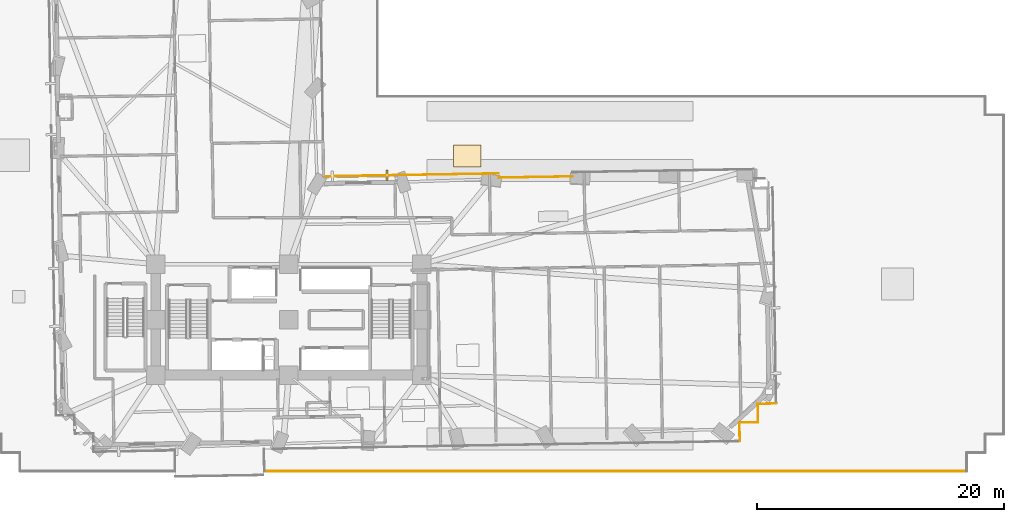
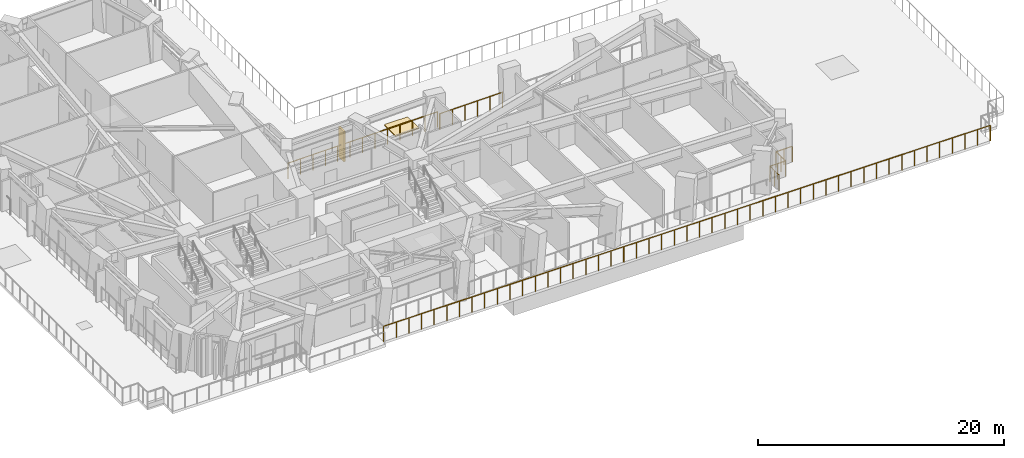
# One storey, part 14 of 17: 7 railings, 1 covering, 1 shading device.
"""IFC4 building model written with IfcOpenShell, lengths in metres."""

import ifcopenshell
import ifcopenshell.guid

model = None  # the IFC model being written
_history = None  # IfcOwnerHistory: only IFC2X3 demands one
_inside = {}  # id of a spatial element -> (the spatial element, [elements in it])
_under = {}  # id of a project, library or spatial element -> (it, [spatial elements below it])
_declared = {}  # id of a project -> (the project, [libraries it declares])
_typed = {}  # id of a type object -> (the type object, [elements of that type])
_made_of = {}  # id of a material, layer set ... -> (it, [elements and type objects made of it])


def new_model(schema):
    """Start an empty IFC model of exactly this schema.

    Asked for "IFC4X3", IfcOpenShell would pick the latest addendum, in which some entities
    have other attributes; the version numbers below select the first issue.
    IFC2X3 requires an IfcOwnerHistory on every rooted entity: one is made here for all.
    """
    global model, _history
    if schema == "IFC4X3":
        model = ifcopenshell.file(schema_version=(4, 3, 0, 0))
    else:
        model = ifcopenshell.file(schema=schema)
    _inside.clear()
    _under.clear()
    _declared.clear()
    _typed.clear()
    _made_of.clear()
    _history = None
    if model.schema == "IFC2X3":
        org = make("IfcOrganization", Name="unknown")
        user = make(
            "IfcPersonAndOrganization",
            ThePerson=make("IfcPerson", FamilyName="unknown"),
            TheOrganization=org,
        )
        app = make(
            "IfcApplication",
            ApplicationDeveloper=org,
            Version="unknown",
            ApplicationFullName="unknown",
            ApplicationIdentifier="unknown",
        )
        _history = make(
            "IfcOwnerHistory",
            OwningUser=user,
            OwningApplication=app,
            ChangeAction="ADDED",
            CreationDate=0,
        )
    return model


def make(cls, **values):
    """One entity of the class cls with the attributes given. An attribute that is None is left unset."""
    return model.create_entity(
        cls, **{name: value for name, value in values.items() if value is not None}
    )


def rooted(cls, **values):
    """An entity with a GlobalId (a new one), such as an element, a storey or a relation."""
    return make(cls, GlobalId=ifcopenshell.guid.new(), OwnerHistory=_history, **values)


def si_unit(unit_type, name, prefix=None):
    """IfcSIUnit, for example si_unit("LENGTHUNIT", "METRE", prefix="MILLI")."""
    return make("IfcSIUnit", UnitType=unit_type, Prefix=prefix, Name=name)


def assignment(units):
    """IfcUnitAssignment: the units of a project."""
    return None if units is None else make("IfcUnitAssignment", Units=units)


def point(xyz):
    """IfcCartesianPoint."""
    return None if xyz is None else make("IfcCartesianPoint", Coordinates=xyz)


def direction(xyz):
    """IfcDirection."""
    return None if xyz is None else make("IfcDirection", DirectionRatios=xyz)


def frame(location, z_axis=None, x_axis=None):
    """IfcAxis2Placement3D, a coordinate frame: its origin and axes. An axis left out is left unset."""
    return make(
        "IfcAxis2Placement3D",
        Location=point(location),
        Axis=direction(z_axis),
        RefDirection=direction(x_axis),
    )


def frame_2d(location, x_axis=None):
    """IfcAxis2Placement2D, a coordinate frame in the plane: its origin and x axis."""
    return make(
        "IfcAxis2Placement2D", Location=point(location), RefDirection=direction(x_axis)
    )


def origin():
    """The frame at (0, 0, 0) with its axes left unset."""
    return frame((0.0, 0.0, 0.0))


def origin_2d():
    """The frame at (0, 0) in the plane with its x axis left unset."""
    return frame_2d((0.0, 0.0))


def place(relative_to, where):
    """IfcLocalPlacement: puts the frame where relative to a parent placement (None: the world)."""
    return make(
        "IfcLocalPlacement", PlacementRelTo=relative_to, RelativePlacement=where
    )


def context(
    kind, dimensions, precision=None, world=None, true_north=None, identifier=None
):
    """IfcGeometricRepresentationContext, for example the 3D "Model" context."""
    return make(
        "IfcGeometricRepresentationContext",
        ContextIdentifier=identifier,
        ContextType=kind,
        CoordinateSpaceDimension=dimensions,
        Precision=precision,
        WorldCoordinateSystem=world,
        TrueNorth=true_north,
    )


def subcontext(parent, identifier, kind, view, scale=None):
    """IfcGeometricRepresentationSubContext, for example "Body" below "Model"."""
    return make(
        "IfcGeometricRepresentationSubContext",
        ContextIdentifier=identifier,
        ContextType=kind,
        ParentContext=parent,
        TargetScale=scale,
        TargetView=view,
    )


def project(units=None, contexts=None):
    """IfcProject with its units and contexts."""
    return rooted(
        "IfcProject",
        Name="project",
        RepresentationContexts=contexts,
        UnitsInContext=assignment(units),
    )


def spatial(cls, under=None, at=None, **own):
    """A site, building, storey or space (cls), placed at a placement, below another one or the project."""
    s = rooted(cls, ObjectPlacement=at, **own)
    if under is not None:
        _under.setdefault(under.id(), (under, []))[1].append(s)
    return s


def profile(cls, at=None, kind="AREA", **sizes):
    """A parametric profile (cls). Its sizes go by their IFC names, for example OverallWidth=200.0."""
    return make(cls, ProfileType=kind, Position=at, **sizes)


def rectangle(**sizes):
    """IfcRectangleProfileDef."""
    return profile("IfcRectangleProfileDef", **sizes)


def circle(**sizes):
    """IfcCircleProfileDef."""
    return profile("IfcCircleProfileDef", **sizes)


def extrude(swept, where, along, depth):
    """IfcExtrudedAreaSolid: the profile swept, set in the frame where, extruded along a direction by depth."""
    return make(
        "IfcExtrudedAreaSolid",
        SweptArea=swept,
        Position=where,
        ExtrudedDirection=direction(along),
        Depth=depth,
    )


def shape(context_of_items, identifier, shape_type, items):
    """IfcShapeRepresentation: the items that make up one representation, for example the "Body"."""
    return make(
        "IfcShapeRepresentation",
        ContextOfItems=context_of_items,
        RepresentationIdentifier=identifier,
        RepresentationType=shape_type,
        Items=items,
    )


def material(Name=None, Category=None):
    """IfcMaterial."""
    return make("IfcMaterial", Name=Name, Category=Category)


def layer(
    of_material, thickness, ventilated=None, Name=None, Category=None, Priority=None
):
    """IfcMaterialLayer: one layer of a wall or slab, of a material (None: an air gap)."""
    return make(
        "IfcMaterialLayer",
        Material=of_material,
        LayerThickness=thickness,
        IsVentilated=ventilated,
        Name=Name,
        Category=Category,
        Priority=Priority,
    )


def layer_set(layers, Name=None):
    """IfcMaterialLayerSet."""
    return make("IfcMaterialLayerSet", MaterialLayers=layers, LayerSetName=Name)


def made_of(thing, what):
    """Note that an element or type object is made of a material, layer set ...; save() writes the relation."""
    if what is not None:
        _made_of.setdefault(what.id(), (what, []))[1].append(thing)
    return thing


def type_object(cls, material=None, **own):
    """A type object (cls), such as IfcWallType, which elements share."""
    return made_of(rooted(cls, **own), material)


def element(
    cls,
    number,
    at=None,
    inside=None,
    cuts=None,
    type_object=None,
    material=None,
    context=None,
    identifier="Body",
    shape_type=None,
    held_by="IfcProductDefinitionShape",
    body=None,
    shapes=None,
    **own,
):
    """One element of the class cls, such as IfcWall. Its Tag is "e" and its number.

    at: its placement. inside: the storey or other place that contains it. cuts: it is an
    opening in that element (IfcRelVoidsElement). A single representation is given by context,
    identifier, shape_type and body (its items); several are given by shapes. held_by: the class
    of the entity that holds the representations. save() writes the other relations.
    """
    e = rooted(cls, Tag="e%d" % number, ObjectPlacement=at, **own)
    if body is not None:
        shapes = [shape(context, identifier, shape_type, body)]
    if shapes is not None:
        e.Representation = make(held_by, Representations=shapes)
    if inside is not None:
        _inside.setdefault(inside.id(), (inside, []))[1].append(e)
    if cuts is not None:
        rooted(
            "IfcRelVoidsElement", RelatingBuildingElement=cuts, RelatedOpeningElement=e
        )
    if type_object is not None:
        _typed.setdefault(type_object.id(), (type_object, []))[1].append(e)
    return made_of(e, material)


def aggregate(whole, parts):
    """IfcRelAggregates: a whole, such as a stair, and the parts it consists of."""
    return rooted("IfcRelAggregates", RelatingObject=whole, RelatedObjects=parts)


def save(model, path):
    """Write the relations noted so far, then the file.

    IfcRelAggregates (storeys below a building ...), IfcRelContainedInSpatialStructure (elements
    in a storey), IfcRelDefinesByType, IfcRelAssociatesMaterial and IfcRelDeclares: one each for
    every whole, place, type object, material and project.
    """
    for whole, parts in _under.values():
        aggregate(whole, parts)
    for where, things in _inside.values():
        rooted(
            "IfcRelContainedInSpatialStructure",
            RelatedElements=things,
            RelatingStructure=where,
        )
    for kind, things in _typed.values():
        rooted("IfcRelDefinesByType", RelatedObjects=things, RelatingType=kind)
    for what, things in _made_of.values():
        rooted("IfcRelAssociatesMaterial", RelatedObjects=things, RelatingMaterial=what)
    for by, libraries in _declared.values():
        rooted("IfcRelDeclares", RelatingContext=by, RelatedDefinitions=libraries)
    model.write(path)


model = new_model("IFC4")

# Units and contexts
model_context = context("Model", 3, precision=1e-05, world=origin(), true_north=direction((0.0, 1.0)))
body_context = subcontext(model_context, "Body", "Model", "MODEL_VIEW")
ifc_project = project(units=[si_unit("LENGTHUNIT", "METRE"), si_unit("AREAUNIT", "SQUARE_METRE"), si_unit("VOLUMEUNIT", "CUBIC_METRE"), si_unit("PLANEANGLEUNIT", "RADIAN"), si_unit("MASSUNIT", "GRAM", prefix="KILO")], contexts=[model_context])

# Site, building, storey
site_placement = place(None, origin())
site = spatial("IfcSite", under=ifc_project, at=site_placement, CompositionType="ELEMENT")
building_placement = place(site_placement, origin())
building = spatial("IfcBuilding", under=site, at=building_placement, Name="Gaonmaruhae Medical Tower", CompositionType="ELEMENT")
storey_placement = place(building_placement, frame((0.0, 0.0, 27.0)))
storey = spatial("IfcBuildingStorey", under=building, at=storey_placement, Name="L05", CompositionType="ELEMENT", Elevation=27.0)

# Railings
ifc_material_1 = material(Name="Stainless steel 316L and laminated safety glass", Category="steel")
ifc_layer_1 = layer(ifc_material_1, 0.080078125)
ifc_layer_set_1 = layer_set([ifc_layer_1], Name="Stainless steel 316L and laminated safety glass")
railing_type = type_object("IfcRailingType", Name="GD-155 Planter-Edge Raised Safety Balustrade", PredefinedType="BALUSTRADE", material=ifc_layer_set_1)
railing_1_placement = place(storey_placement, frame((79.800048828125, 0.0, 0.0)))
element("IfcRailing", 1, at=railing_1_placement, inside=storey, type_object=railing_type, Name="L05 Terrace Safety Guard RL-SLB-L05-PODROOF1-21", PredefinedType="BALUSTRADE", context=body_context, shape_type="SweptSolid", body=[
    extrude(circle(Radius=0.02392578125, at=origin_2d()), frame((0.0, 0.0, 1.52587890625), z_axis=(-1.0, 0.0, 0.0), x_axis=(0.0, -1.0, 0.0)), (0.0, 0.0, 1.0), 56.984375),
    extrude(circle(Radius=0.02099609375, at=origin_2d()), origin(), (0.0, 0.0, 1.0), 1.501953125),
    extrude(circle(Radius=0.02099609375, at=origin_2d()), frame((-1.187255859375, 0.0, 0.0)), (0.0, 0.0, 1.0), 1.501953125),
    extrude(circle(Radius=0.02099609375, at=origin_2d()), frame((-2.374267578125, 0.0, 0.0)), (0.0, 0.0, 1.0), 1.501953125),
    extrude(circle(Radius=0.02099609375, at=origin_2d()), frame((-3.5615234375, 0.0, 0.0)), (0.0, 0.0, 1.0), 1.501953125),
    extrude(circle(Radius=0.02099609375, at=origin_2d()), frame((-4.748779296875, 0.0, 0.0)), (0.0, 0.0, 1.0), 1.501953125),
    extrude(circle(Radius=0.02099609375, at=origin_2d()), frame((-5.935791015625, 0.0, 0.0)), (0.0, 0.0, 1.0), 1.501953125),
    extrude(circle(Radius=0.02099609375, at=origin_2d()), frame((-7.123046875, 0.0, 0.0)), (0.0, 0.0, 1.0), 1.501953125),
    extrude(circle(Radius=0.02099609375, at=origin_2d()), frame((-8.310302734375, 0.0, 0.0)), (0.0, 0.0, 1.0), 1.501953125),
    extrude(circle(Radius=0.02099609375, at=origin_2d()), frame((-9.497314453125, 0.0, 0.0)), (0.0, 0.0, 1.0), 1.501953125),
    extrude(circle(Radius=0.02099609375, at=origin_2d()), frame((-10.6845703125, 0.0, 0.0)), (0.0, 0.0, 1.0), 1.501953125),
    extrude(circle(Radius=0.02099609375, at=origin_2d()), frame((-11.871826171875, 0.0, 0.0)), (0.0, 0.0, 1.0), 1.501953125),
    extrude(circle(Radius=0.02099609375, at=origin_2d()), frame((-13.058837890625, 0.0, 0.0)), (0.0, 0.0, 1.0), 1.501953125),
    extrude(circle(Radius=0.02099609375, at=origin_2d()), frame((-14.24609375, 0.0, 0.0)), (0.0, 0.0, 1.0), 1.501953125),
    extrude(circle(Radius=0.02099609375, at=origin_2d()), frame((-15.433349609375, 0.0, 0.0)), (0.0, 0.0, 1.0), 1.501953125),
    extrude(circle(Radius=0.02099609375, at=origin_2d()), frame((-16.620361328125, 0.0, 0.0)), (0.0, 0.0, 1.0), 1.501953125),
    extrude(circle(Radius=0.02099609375, at=origin_2d()), frame((-17.8076171875, 0.0, 0.0)), (0.0, 0.0, 1.0), 1.501953125),
    extrude(circle(Radius=0.02099609375, at=origin_2d()), frame((-18.994873046875, 0.0, 0.0)), (0.0, 0.0, 1.0), 1.501953125),
    extrude(circle(Radius=0.02099609375, at=origin_2d()), frame((-20.181884765625, 0.0, 0.0)), (0.0, 0.0, 1.0), 1.501953125),
    extrude(circle(Radius=0.02099609375, at=origin_2d()), frame((-21.369140625, 0.0, 0.0)), (0.0, 0.0, 1.0), 1.501953125),
    extrude(circle(Radius=0.02099609375, at=origin_2d()), frame((-22.556396484375, 0.0, 0.0)), (0.0, 0.0, 1.0), 1.501953125),
    extrude(circle(Radius=0.02099609375, at=origin_2d()), frame((-23.743408203125, 0.0, 0.0)), (0.0, 0.0, 1.0), 1.501953125),
    extrude(circle(Radius=0.02099609375, at=origin_2d()), frame((-24.9306640625, 0.0, 0.0)), (0.0, 0.0, 1.0), 1.501953125),
    extrude(circle(Radius=0.02099609375, at=origin_2d()), frame((-26.117919921875, 0.0, 0.0)), (0.0, 0.0, 1.0), 1.501953125),
    extrude(circle(Radius=0.02099609375, at=origin_2d()), frame((-27.304931640625, 0.0, 0.0)), (0.0, 0.0, 1.0), 1.501953125),
    extrude(circle(Radius=0.02099609375, at=origin_2d()), frame((-28.4921875, 0.0, 0.0)), (0.0, 0.0, 1.0), 1.501953125),
    extrude(circle(Radius=0.02099609375, at=origin_2d()), frame((-29.679443359375, 0.0, 0.0)), (0.0, 0.0, 1.0), 1.501953125),
    extrude(circle(Radius=0.02099609375, at=origin_2d()), frame((-30.866455078125, 0.0, 0.0)), (0.0, 0.0, 1.0), 1.501953125),
    extrude(circle(Radius=0.02099609375, at=origin_2d()), frame((-32.0537109375, 0.0, 0.0)), (0.0, 0.0, 1.0), 1.501953125),
    extrude(circle(Radius=0.02099609375, at=origin_2d()), frame((-33.240966796875, 0.0, 0.0)), (0.0, 0.0, 1.0), 1.501953125),
    extrude(circle(Radius=0.02099609375, at=origin_2d()), frame((-34.427978515625, 0.0, 0.0)), (0.0, 0.0, 1.0), 1.501953125),
    extrude(circle(Radius=0.02099609375, at=origin_2d()), frame((-35.615234375, 0.0, 0.0)), (0.0, 0.0, 1.0), 1.501953125),
    extrude(circle(Radius=0.02099609375, at=origin_2d()), frame((-36.802490234375, 0.0, 0.0)), (0.0, 0.0, 1.0), 1.501953125),
    extrude(circle(Radius=0.02099609375, at=origin_2d()), frame((-37.989501953125, 0.0, 0.0)), (0.0, 0.0, 1.0), 1.501953125),
    extrude(circle(Radius=0.02099609375, at=origin_2d()), frame((-39.1767578125, 0.0, 0.0)), (0.0, 0.0, 1.0), 1.501953125),
    extrude(circle(Radius=0.02099609375, at=origin_2d()), frame((-40.364013671875, 0.0, 0.0)), (0.0, 0.0, 1.0), 1.501953125),
    extrude(circle(Radius=0.02099609375, at=origin_2d()), frame((-41.551025390625, 0.0, 0.0)), (0.0, 0.0, 1.0), 1.501953125),
    extrude(circle(Radius=0.02099609375, at=origin_2d()), frame((-42.73828125, 0.0, 0.0)), (0.0, 0.0, 1.0), 1.501953125),
    extrude(circle(Radius=0.02099609375, at=origin_2d()), frame((-43.925537109375, 0.0, 0.0)), (0.0, 0.0, 1.0), 1.501953125),
    extrude(circle(Radius=0.02099609375, at=origin_2d()), frame((-45.112548828125, 0.0, 0.0)), (0.0, 0.0, 1.0), 1.501953125),
    extrude(circle(Radius=0.02099609375, at=origin_2d()), frame((-46.2998046875, 0.0, 0.0)), (0.0, 0.0, 1.0), 1.501953125),
    extrude(circle(Radius=0.02099609375, at=origin_2d()), frame((-47.487060546875, 0.0, 0.0)), (0.0, 0.0, 1.0), 1.501953125),
    extrude(circle(Radius=0.02099609375, at=origin_2d()), frame((-48.674072265625, 0.0, 0.0)), (0.0, 0.0, 1.0), 1.501953125),
    extrude(circle(Radius=0.02099609375, at=origin_2d()), frame((-49.861328125, 0.0, 0.0)), (0.0, 0.0, 1.0), 1.501953125),
    extrude(circle(Radius=0.02099609375, at=origin_2d()), frame((-51.048583984375, 0.0, 0.0)), (0.0, 0.0, 1.0), 1.501953125),
    extrude(circle(Radius=0.02099609375, at=origin_2d()), frame((-52.235595703125, 0.0, 0.0)), (0.0, 0.0, 1.0), 1.501953125),
    extrude(circle(Radius=0.02099609375, at=origin_2d()), frame((-53.4228515625, 0.0, 0.0)), (0.0, 0.0, 1.0), 1.501953125),
    extrude(circle(Radius=0.02099609375, at=origin_2d()), frame((-54.610107421875, 0.0, 0.0)), (0.0, 0.0, 1.0), 1.501953125),
    extrude(circle(Radius=0.02099609375, at=origin_2d()), frame((-55.797119140625, 0.0, 0.0)), (0.0, 0.0, 1.0), 1.501953125),
    extrude(circle(Radius=0.02099609375, at=origin_2d()), frame((-56.984375, 0.0, 0.0)), (0.0, 0.0, 1.0), 1.501953125),
])
railing_2_placement = place(storey_placement, frame((61.394287109375, 2.457763671875, 0.0)))
element("IfcRailing", 2, at=railing_2_placement, inside=storey, type_object=railing_type, Name="L05 Terrace Safety Guard RL-SLB-L05-PODROOF1-42", PredefinedType="BALUSTRADE", context=body_context, shape_type="SweptSolid", body=[
    extrude(circle(Radius=0.02392578125, at=origin_2d()), frame((0.0, 0.0, 1.52587890625), z_axis=(-0.016661603658, 0.999861185847, 0.0), x_axis=(-0.999861185847, -0.016661603658, 0.0)), (0.0, 0.0, 1.0), 1.47998046875),
    extrude(circle(Radius=0.02099609375, at=origin_2d()), origin(), (0.0, 0.0, 1.0), 1.501953125),
    extrude(circle(Radius=0.02099609375, at=origin_2d()), frame((-0.01220703125, 0.73974609375, 0.0)), (0.0, 0.0, 1.0), 1.501953125),
    extrude(circle(Radius=0.02099609375, at=origin_2d()), frame((-0.024658203125, 1.479736328125, 0.0)), (0.0, 0.0, 1.0), 1.501953125),
])
railing_3_placement = place(storey_placement, frame((61.36962890625, 3.9375, 0.0)))
element("IfcRailing", 3, at=railing_3_placement, inside=storey, type_object=railing_type, Name="L05 Terrace Safety Guard RL-SLB-L05-PODROOF1-43", PredefinedType="BALUSTRADE", context=body_context, shape_type="SweptSolid", body=[
    extrude(circle(Radius=0.02392578125, at=origin_2d()), frame((0.0, 0.0, 1.52587890625), z_axis=(0.999861231632, 0.016658855888, 0.0), x_axis=(-0.016658855888, 0.999861231632, 0.0)), (0.0, 0.0, 1.0), 1.480224609375),
    extrude(circle(Radius=0.02099609375, at=origin_2d()), origin(), (0.0, 0.0, 1.0), 1.501953125),
    extrude(circle(Radius=0.02099609375, at=origin_2d()), frame((0.739990234375, 0.01220703125, 0.0)), (0.0, 0.0, 1.0), 1.501953125),
    extrude(circle(Radius=0.02099609375, at=origin_2d()), frame((1.47998046875, 0.024658203125, 0.0)), (0.0, 0.0, 1.0), 1.501953125),
])
railing_4_placement = place(storey_placement, frame((62.869140625, 3.982421875, 0.0)))
element("IfcRailing", 4, at=railing_4_placement, inside=storey, type_object=railing_type, Name="L05 Terrace Safety Guard RL-SLB-L05-PODROOF1-60", PredefinedType="BALUSTRADE", context=body_context, shape_type="SweptSolid", body=[
    extrude(circle(Radius=0.02392578125, at=origin_2d()), frame((0.0, 0.0, 1.52587890625), z_axis=(-0.016661603658, 0.999861185847, 0.0), x_axis=(-0.999861185847, -0.016661603658, 0.0)), (0.0, 0.0, 1.0), 1.47998046875),
    extrude(circle(Radius=0.02099609375, at=origin_2d()), origin(), (0.0, 0.0, 1.0), 1.501953125),
    extrude(circle(Radius=0.02099609375, at=origin_2d()), frame((-0.01220703125, 0.73974609375, 0.0)), (0.0, 0.0, 1.0), 1.501953125),
    extrude(circle(Radius=0.02099609375, at=origin_2d()), frame((-0.024658203125, 1.479736328125, 0.0)), (0.0, 0.0, 1.0), 1.501953125),
])
railing_5_placement = place(storey_placement, frame((62.844482421875, 5.462158203125, 0.0)))
element("IfcRailing", 5, at=railing_5_placement, inside=storey, type_object=railing_type, Name="L05 Terrace Safety Guard RL-SLB-L05-PODROOF1-61", PredefinedType="BALUSTRADE", context=body_context, shape_type="SweptSolid", body=[
    extrude(circle(Radius=0.02392578125, at=origin_2d()), frame((0.0, 0.0, 1.52587890625), z_axis=(0.999861231632, 0.016658855888, 0.0), x_axis=(-0.016658855888, 0.999861231632, 0.0)), (0.0, 0.0, 1.0), 1.480224609375),
    extrude(circle(Radius=0.02099609375, at=origin_2d()), origin(), (0.0, 0.0, 1.0), 1.501953125),
    extrude(circle(Radius=0.02099609375, at=origin_2d()), frame((0.739990234375, 0.01220703125, 0.0)), (0.0, 0.0, 1.0), 1.501953125),
    extrude(circle(Radius=0.02099609375, at=origin_2d()), frame((1.47998046875, 0.024658203125, 0.0)), (0.0, 0.0, 1.0), 1.501953125),
])
railing_6_placement = place(storey_placement, frame((47.796630859375, 23.915283203125, 0.0)))
element("IfcRailing", 6, at=railing_6_placement, inside=storey, type_object=railing_type, Name="L05 Terrace Safety Guard RL-SLB-L05-PODROOF1-149", PredefinedType="BALUSTRADE", context=body_context, shape_type="SweptSolid", body=[
    extrude(circle(Radius=0.02392578125, at=origin_2d()), frame((0.0, 0.0, 1.52587890625), z_axis=(-0.999862377192, -0.016589957096, 0.0), x_axis=(0.016589957096, -0.999862377192, 0.0)), (0.0, 0.0, 1.0), 5.9599609375),
    extrude(circle(Radius=0.02099609375, at=origin_2d()), origin(), (0.0, 0.0, 1.0), 1.501953125),
    extrude(circle(Radius=0.02099609375, at=origin_2d()), frame((-1.19189453125, -0.019775390625, 0.0)), (0.0, 0.0, 1.0), 1.501953125),
    extrude(circle(Radius=0.02099609375, at=origin_2d()), frame((-2.3837890625, -0.03955078125, 0.0)), (0.0, 0.0, 1.0), 1.501953125),
    extrude(circle(Radius=0.02099609375, at=origin_2d()), frame((-3.575439453125, -0.059326171875, 0.0)), (0.0, 0.0, 1.0), 1.501953125),
    extrude(circle(Radius=0.02099609375, at=origin_2d()), frame((-4.767333984375, -0.0791015625, 0.0)), (0.0, 0.0, 1.0), 1.501953125),
    extrude(circle(Radius=0.02099609375, at=origin_2d()), frame((-5.959228515625, -0.098876953125, 0.0)), (0.0, 0.0, 1.0), 1.501953125),
])
railing_7_placement = place(storey_placement, frame((41.811767578125, 24.156005859375, 0.0)))
element("IfcRailing", 7, at=railing_7_placement, inside=storey, type_object=railing_type, Name="L05 Terrace Safety Guard RL-SLB-L05-PODROOF1-167", PredefinedType="BALUSTRADE", context=body_context, shape_type="SweptSolid", body=[
    extrude(circle(Radius=0.02392578125, at=origin_2d()), frame((0.0, 0.0, 1.52587890625), z_axis=(-0.999862537417, -0.016580297617, 0.0), x_axis=(0.016580297617, -0.999862537417, 0.0)), (0.0, 0.0, 1.0), 14.179931640625),
    extrude(circle(Radius=0.02099609375, at=origin_2d()), origin(), (0.0, 0.0, 1.0), 1.501953125),
    extrude(circle(Radius=0.02099609375, at=origin_2d()), frame((-1.181396484375, -0.01953125, 0.0)), (0.0, 0.0, 1.0), 1.501953125),
    extrude(circle(Radius=0.02099609375, at=origin_2d()), frame((-2.363037109375, -0.0390625, 0.0)), (0.0, 0.0, 1.0), 1.501953125),
    extrude(circle(Radius=0.02099609375, at=origin_2d()), frame((-3.54443359375, -0.058837890625, 0.0)), (0.0, 0.0, 1.0), 1.501953125),
    extrude(circle(Radius=0.02099609375, at=origin_2d()), frame((-4.72607421875, -0.078369140625, 0.0)), (0.0, 0.0, 1.0), 1.501953125),
    extrude(circle(Radius=0.02099609375, at=origin_2d()), frame((-5.907470703125, -0.097900390625, 0.0)), (0.0, 0.0, 1.0), 1.501953125),
    extrude(circle(Radius=0.02099609375, at=origin_2d()), frame((-7.0888671875, -0.11767578125, 0.0)), (0.0, 0.0, 1.0), 1.501953125),
    extrude(circle(Radius=0.02099609375, at=origin_2d()), frame((-8.2705078125, -0.13720703125, 0.0)), (0.0, 0.0, 1.0), 1.501953125),
    extrude(circle(Radius=0.02099609375, at=origin_2d()), frame((-9.451904296875, -0.15673828125, 0.0)), (0.0, 0.0, 1.0), 1.501953125),
    extrude(circle(Radius=0.02099609375, at=origin_2d()), frame((-10.633544921875, -0.17626953125, 0.0)), (0.0, 0.0, 1.0), 1.501953125),
    extrude(circle(Radius=0.02099609375, at=origin_2d()), frame((-11.81494140625, -0.19580078125, 0.0)), (0.0, 0.0, 1.0), 1.501953125),
    extrude(circle(Radius=0.02099609375, at=origin_2d()), frame((-12.99658203125, -0.215576171875, 0.0)), (0.0, 0.0, 1.0), 1.501953125),
    extrude(circle(Radius=0.02099609375, at=origin_2d()), frame((-14.177978515625, -0.235107421875, 0.0)), (0.0, 0.0, 1.0), 1.501953125),
])

# Covering
ifc_material_2 = material(Name="EPDM insulated roofing membrane", Category="membrane")
ifc_layer_2 = layer(ifc_material_2, 0.1201171875)
ifc_layer_set_2 = layer_set([ifc_layer_2], Name="EPDM insulated roofing membrane")
covering_type = type_object("IfcCoveringType", Name="RFG-01 Insulated EPDM Waterproof Roofing Membrane", PredefinedType="ROOFING", material=ifc_layer_set_2)
covering_placement = place(storey_placement, frame((39.271728515625, 25.5859375, 0.0), z_axis=(0.0, 0.0, 1.0), x_axis=(1.0, 0.0, 0.0)))
element("IfcCovering", 8, at=covering_placement, inside=storey, type_object=covering_type, Name="L05 Terrace Waterproofing Membrane SLB-L05-PODROOF1", PredefinedType="ROOFING", context=body_context, shape_type="SweptSolid", body=[
    extrude(rectangle(XDim=2.199951171875, YDim=1.800048828125, at=origin_2d()), origin(), (0.0, 0.0, 1.0), 0.1201171875),
])

# Shading device
ifc_material_3 = material(Name="Pigmented coral precast concrete C45/55", Category="concrete")
shading_device_type = type_object("IfcShadingDeviceType", Name="SD-FIN1 Tower Vertical Coral Precast Shading Fin", PredefinedType="USERDEFINED", material=ifc_material_3)
shading_device_placement = place(storey_placement, frame((32.766357421875, 24.0009765625, 0.08251953125), z_axis=(0.0, 0.0, 1.0), x_axis=(0.999862544538, 0.016579868188, 0.0)))
element("IfcShadingDevice", 9, at=shading_device_placement, inside=storey, type_object=shading_device_type, Name="L05 Vertical Coral Precast Shading Fin EN04B", ObjectType="FIN", PredefinedType="USERDEFINED", context=body_context, shape_type="SweptSolid", body=[
    extrude(rectangle(XDim=0.179931640625, YDim=0.85009765625, at=origin_2d()), origin(), (0.0, 0.0, 1.0), 3.0),
])

save(model, "model.ifc")
